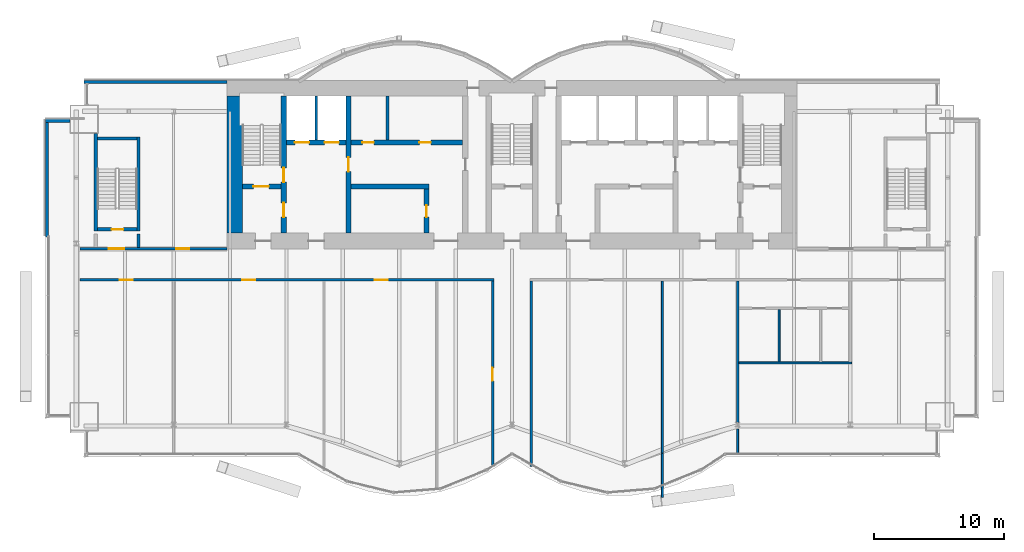
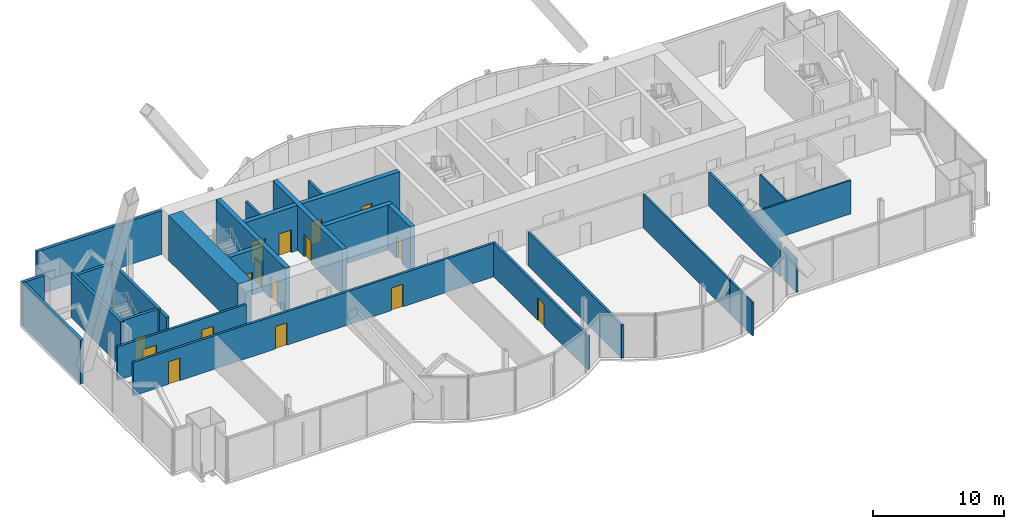
# One storey, part 17 of 23: 27 walls, 16 doors, 16 openings.
"""IFC4 building model written with IfcOpenShell, lengths in metres."""

from ifc_helpers import new_model, si_unit, direction, frame, frame_2d, origin, place, context, subcontext, project, spatial, rectangle, extrude, material, layer, layer_set, layer_usage, type_object, element, fill, save


model = new_model("IFC4")

# Units and contexts
model_context = context("Model", 3, precision=1e-05, world=origin(), true_north=direction((0.0, 1.0)))
body_context = subcontext(model_context, "Body", "Model", "MODEL_VIEW")
ifc_project = project(units=[si_unit("LENGTHUNIT", "METRE"), si_unit("AREAUNIT", "SQUARE_METRE"), si_unit("VOLUMEUNIT", "CUBIC_METRE"), si_unit("PLANEANGLEUNIT", "RADIAN"), si_unit("MASSUNIT", "GRAM", prefix="KILO")], contexts=[model_context])

# Site, building, storey
site_placement = place(None, origin())
site = spatial("IfcSite", under=ifc_project, at=site_placement, CompositionType="ELEMENT")
building_placement = place(site_placement, origin())
building = spatial("IfcBuilding", under=site, at=building_placement, Name="Bicima Exchange Tower", CompositionType="ELEMENT")
storey_placement = place(building_placement, frame((0.0, 0.0, 262.39990234375)))
storey = spatial("IfcBuildingStorey", under=building, at=storey_placement, Name="L59", CompositionType="ELEMENT", Elevation=262.39990234375)

# Wall
ifc_material_1 = material(Name="Gypsum board partition")
ifc_layer_1 = layer(ifc_material_1, 0.199951171875)
ifc_layer_set_1 = layer_set([ifc_layer_1], Name="Gypsum board partition")
wall_type_1 = type_object("IfcWallType", Name="Fire-rated gypsum partition 200 EI120", PredefinedType="PARTITIONING", material=ifc_layer_set_1)
wall_1_placement = place(storey_placement, frame((-15.10009765625, -4.60009765625, 0.0), z_axis=(0.0, 0.0, 1.0), x_axis=(0.0, 1.0, 0.0)))
element("IfcWall", 1, at=wall_1_placement, inside=storey, type_object=wall_type_1, Name="partition wall 9", PredefinedType="PARTITIONING", context=body_context, shape_type="SweptSolid", body=[
    extrude(rectangle(XDim=3.400146484375, YDim=0.199951171875, at=frame_2d((1.7001953125, 0.0))), origin(), (0.0, 0.0, 1.0), 3.118408203125),
])

# Wall, openings, doors
ifc_layer_2 = layer(ifc_material_1, 0.199951171875)
ifc_layer_set_2 = layer_set([ifc_layer_2], Name="Gypsum board partition")
wall_type_2 = type_object("IfcWallType", Name="Fire-rated gypsum partition 200 EI60", PredefinedType="PARTITIONING", material=ifc_layer_set_2)
wall_2_placement = place(storey_placement, frame((-33.340087890625, -15.39990234375, 0.0), z_axis=(0.0, 0.0, 1.0), x_axis=(1.0, 0.0, 0.0)))
wall_2 = element("IfcWall", 2, at=wall_2_placement, inside=storey, type_object=wall_type_2, Name="partition wall 3", PredefinedType="PARTITIONING", context=body_context, shape_type="SweptSolid", body=[
    extrude(rectangle(XDim=31.940185546875, YDim=0.199951171875, at=frame_2d((15.97021484375, 0.0))), origin(), (0.0, 0.0, 1.0), 3.118408203125),
])
opening_1_placement = place(wall_2_placement, frame((3.10009765625, 0.0, 0.0)))
opening_1 = element("IfcOpeningElement", 3, at=opening_1_placement, cuts=wall_2, Name="Opening L59-007", PredefinedType="OPENING", context=body_context, shape_type="SweptSolid", body=[
    extrude(rectangle(XDim=1.0, YDim=2.10009765625, at=frame_2d((0.5, 1.050048828125))), frame((0.0, 0.11181640625, 0.0), z_axis=(0.0, -1.0, 0.0), x_axis=(1.0, 0.0, 0.0)), (0.0, 0.0, 1.0), 0.223876953125),
])
opening_2_placement = place(wall_2_placement, frame((12.5400390625, 0.0, 0.0)))
opening_2 = element("IfcOpeningElement", 4, at=opening_2_placement, cuts=wall_2, Name="Opening L59-008", PredefinedType="OPENING", context=body_context, shape_type="SweptSolid", body=[
    extrude(rectangle(XDim=1.0, YDim=2.10009765625, at=frame_2d((0.5, 1.050048828125))), frame((0.0, 0.11181640625, 0.0), z_axis=(0.0, -1.0, 0.0), x_axis=(1.0, 0.0, 0.0)), (0.0, 0.0, 1.0), 0.223876953125),
])
opening_3_placement = place(wall_2_placement, frame((22.739990234375, 0.0, 0.0)))
opening_3 = element("IfcOpeningElement", 5, at=opening_3_placement, cuts=wall_2, Name="Opening L59-009", PredefinedType="OPENING", context=body_context, shape_type="SweptSolid", body=[
    extrude(rectangle(XDim=1.0, YDim=2.10009765625, at=frame_2d((0.5, 1.050048828125))), frame((0.0, 0.11181640625, 0.0), z_axis=(0.0, -1.0, 0.0), x_axis=(1.0, 0.0, 0.0)), (0.0, 0.0, 1.0), 0.223876953125),
])
ifc_material_2 = material(Name="Steel fire door leaf", Category="steel")
door_type_1 = type_object("IfcDoorType", Name="Door 1000 swing FD30S", OperationType="SINGLE_SWING_LEFT", PredefinedType="DOOR", material=ifc_material_2)
door_1_placement = place(opening_1_placement, frame((1.0, 0.0, 0.0), z_axis=(0.0, 0.0, 1.0), x_axis=(-1.0, 0.0, 0.0)))
door_1 = element("IfcDoor", 6, at=door_1_placement, inside=storey, type_object=door_type_1, Name="Door", OperationType="SINGLE_SWING_LEFT", OverallHeight=2.10009765625, OverallWidth=1.0, PredefinedType="DOOR", context=body_context, shape_type="SweptSolid", body=[
    extrude(rectangle(XDim=1.0, YDim=2.10009765625, at=frame_2d((0.5, 1.050048828125))), frame((0.0, 0.02490234375, 0.0), z_axis=(0.0, -1.0, 0.0), x_axis=(1.0, 0.0, 0.0)), (0.0, 0.0, 1.0), 0.050048828125),
])
fill(opening_1, door_1)
door_2_placement = place(opening_2_placement, frame((1.0, 0.0, 0.0), z_axis=(0.0, 0.0, 1.0), x_axis=(-1.0, 0.0, 0.0)))
door_2 = element("IfcDoor", 7, at=door_2_placement, inside=storey, type_object=door_type_1, Name="Door", OperationType="SINGLE_SWING_RIGHT", OverallHeight=2.10009765625, OverallWidth=1.0, PredefinedType="DOOR", context=body_context, shape_type="SweptSolid", body=[
    extrude(rectangle(XDim=1.0, YDim=2.10009765625, at=frame_2d((0.5, 1.050048828125))), frame((0.0, 0.02490234375, 0.0), z_axis=(0.0, -1.0, 0.0), x_axis=(1.0, 0.0, 0.0)), (0.0, 0.0, 1.0), 0.050048828125),
])
fill(opening_2, door_2)
door_3_placement = place(opening_3_placement, frame((1.0, 0.0, 0.0), z_axis=(0.0, 0.0, 1.0), x_axis=(-1.0, 0.0, 0.0)))
door_3 = element("IfcDoor", 8, at=door_3_placement, inside=storey, type_object=door_type_1, Name="Door", OperationType="SINGLE_SWING_RIGHT", OverallHeight=2.10009765625, OverallWidth=1.0, PredefinedType="DOOR", context=body_context, shape_type="SweptSolid", body=[
    extrude(rectangle(XDim=1.0, YDim=2.10009765625, at=frame_2d((0.5, 1.050048828125))), frame((0.0, 0.02490234375, 0.0), z_axis=(0.0, -1.0, 0.0), x_axis=(1.0, 0.0, 0.0)), (0.0, 0.0, 1.0), 0.050048828125),
])
fill(opening_3, door_3)

wall_3_placement = place(storey_placement, frame((-33.340087890625, -13.0, 0.0), z_axis=(0.0, 0.0, 1.0), x_axis=(1.0, 0.0, 0.0)))
wall_3 = element("IfcWall", 9, at=wall_3_placement, inside=storey, type_object=wall_type_2, Name="partition wall 5", PredefinedType="PARTITIONING", context=body_context, shape_type="SweptSolid", body=[
    extrude(rectangle(XDim=11.340087890625, YDim=0.199951171875, at=frame_2d((5.669921875, 0.0))), origin(), (0.0, 0.0, 1.0), 3.118408203125),
])
opening_4_placement = place(wall_3_placement, frame((2.239990234375, 0.0, 0.0)))
opening_4 = element("IfcOpeningElement", 10, at=opening_4_placement, cuts=wall_3, Name="Opening L59-001", PredefinedType="OPENING", context=body_context, shape_type="SweptSolid", body=[
    extrude(rectangle(XDim=1.199951171875, YDim=2.10009765625, at=frame_2d((0.60009765625, 1.050048828125))), frame((0.0, 0.11181640625, 0.0), z_axis=(0.0, -1.0, 0.0), x_axis=(1.0, 0.0, 0.0)), (0.0, 0.0, 1.0), 0.223876953125),
])
opening_5_placement = place(wall_3_placement, frame((7.43994140625, 0.0, 0.0)))
opening_5 = element("IfcOpeningElement", 11, at=opening_5_placement, cuts=wall_3, Name="Opening L59-005", PredefinedType="OPENING", context=body_context, shape_type="SweptSolid", body=[
    extrude(rectangle(XDim=1.0, YDim=2.10009765625, at=frame_2d((0.5, 1.050048828125))), frame((0.0, 0.11181640625, 0.0), z_axis=(0.0, -1.0, 0.0), x_axis=(1.0, 0.0, 0.0)), (0.0, 0.0, 1.0), 0.223876953125),
])
door_4_placement = place(opening_5_placement, origin())
door_4 = element("IfcDoor", 12, at=door_4_placement, inside=storey, type_object=door_type_1, Name="Door", OperationType="SINGLE_SWING_LEFT", OverallHeight=2.10009765625, OverallWidth=1.0, PredefinedType="DOOR", context=body_context, shape_type="SweptSolid", body=[
    extrude(rectangle(XDim=1.0, YDim=2.10009765625, at=frame_2d((0.5, 1.050048828125))), frame((0.0, 0.02490234375, 0.0), z_axis=(0.0, -1.0, 0.0), x_axis=(1.0, 0.0, 0.0)), (0.0, 0.0, 1.0), 0.050048828125),
])
fill(opening_5, door_4)
door_type_2 = type_object("IfcDoorType", Name="Door 1200 swing FD30S", OperationType="SINGLE_SWING_LEFT", PredefinedType="DOOR", material=ifc_material_2)
door_5_placement = place(opening_4_placement, origin())
door_5 = element("IfcDoor", 13, at=door_5_placement, inside=storey, type_object=door_type_2, Name="Door", OperationType="SINGLE_SWING_LEFT", OverallHeight=2.10009765625, OverallWidth=1.199951171875, PredefinedType="DOOR", context=body_context, shape_type="SweptSolid", body=[
    extrude(rectangle(XDim=1.199951171875, YDim=2.10009765625, at=frame_2d((0.60009765625, 1.050048828125))), frame((0.0, 0.02490234375, 0.0), z_axis=(0.0, -1.0, 0.0), x_axis=(1.0, 0.0, 0.0)), (0.0, 0.0, 1.0), 0.050048828125),
])
fill(opening_4, door_5)

# Wall, opening, door
wall_4_placement = place(storey_placement, frame((-1.5, -29.7900390625, 0.0), z_axis=(0.0, 0.0, 1.0), x_axis=(0.0, 1.0, 0.0)))
wall_4 = element("IfcWall", 14, at=wall_4_placement, inside=storey, type_object=wall_type_2, Name="partition wall 17", PredefinedType="PARTITIONING", context=body_context, shape_type="SweptSolid", body=[
    extrude(rectangle(XDim=14.2900390625, YDim=0.199951171875, at=frame_2d((7.14501953125, 0.0))), origin(), (0.0, 0.0, 1.0), 3.118408203125),
])
opening_6_placement = place(wall_4_placement, frame((6.60009765625, 0.0, 0.0)))
opening_6 = element("IfcOpeningElement", 15, at=opening_6_placement, cuts=wall_4, Name="Opening L59-010", PredefinedType="OPENING", context=body_context, shape_type="SweptSolid", body=[
    extrude(rectangle(XDim=1.0, YDim=2.10009765625, at=frame_2d((0.5, 1.050048828125))), frame((0.0, 0.11181640625, 0.0), z_axis=(0.0, -1.0, 0.0), x_axis=(1.0, 0.0, 0.0)), (0.0, 0.0, 1.0), 0.223876953125),
])
door_6_placement = place(opening_6_placement, origin())
door_6 = element("IfcDoor", 16, at=door_6_placement, inside=storey, type_object=door_type_1, Name="Door", OperationType="SINGLE_SWING_LEFT", OverallHeight=2.10009765625, OverallWidth=1.0, PredefinedType="DOOR", context=body_context, shape_type="SweptSolid", body=[
    extrude(rectangle(XDim=1.0, YDim=2.10009765625, at=frame_2d((0.5, 1.050048828125))), frame((0.0, 0.02490234375, 0.0), z_axis=(0.0, -1.0, 0.0), x_axis=(1.0, 0.0, 0.0)), (0.0, 0.0, 1.0), 0.050048828125),
])
fill(opening_6, door_6)

# Walls
wall_5_placement = place(storey_placement, frame((1.5, -29.7900390625, 0.0), z_axis=(0.0, 0.0, 1.0), x_axis=(0.0, 1.0, 0.0)))
element("IfcWall", 17, at=wall_5_placement, inside=storey, type_object=wall_type_2, Name="partition wall 18", PredefinedType="PARTITIONING", context=body_context, shape_type="SweptSolid", body=[
    extrude(rectangle(XDim=14.2900390625, YDim=0.199951171875, at=frame_2d((7.14501953125, 0.0))), origin(), (0.0, 0.0, 1.0), 3.118408203125),
])
wall_6_placement = place(storey_placement, frame((17.39990234375, -26.4306640625, 0.0), z_axis=(0.0, 0.0, 1.0), x_axis=(0.0, 1.0, 0.0)))
element("IfcWall", 18, at=wall_6_placement, inside=storey, type_object=wall_type_2, Name="partition wall 22", PredefinedType="PARTITIONING", context=body_context, shape_type="SweptSolid", body=[
    extrude(rectangle(XDim=10.9306640625, YDim=0.199951171875, at=frame_2d((5.46533203125, 0.0))), origin(), (0.0, 0.0, 1.0), 3.118408203125),
])
wall_7_placement = place(storey_placement, frame((-9.60009765625, -4.60009765625, 0.0), z_axis=(0.0, 0.0, 1.0), x_axis=(0.0, 1.0, 0.0)))
element("IfcWall", 19, at=wall_7_placement, inside=storey, type_object=wall_type_2, Name="partition wall 11", PredefinedType="PARTITIONING", context=body_context, shape_type="SweptSolid", body=[
    extrude(rectangle(XDim=3.400146484375, YDim=0.199951171875, at=frame_2d((1.7001953125, 0.0))), origin(), (0.0, 0.0, 1.0), 3.118408203125),
])
ifc_layer_3 = layer(ifc_material_1, 0.14990234375)
ifc_layer_set_3 = layer_set([ifc_layer_3], Name="Gypsum board partition")
wall_type_3 = type_object("IfcWallType", Name="Gypsum partition 150", PredefinedType="PARTITIONING", material=ifc_layer_set_3)
wall_8_placement = place(storey_placement, frame((17.5, -21.800048828125, 0.0), z_axis=(0.0, 0.0, 1.0), x_axis=(1.0, 0.0, 0.0)))
element("IfcWall", 20, at=wall_8_placement, inside=storey, type_object=wall_type_3, Name="partition wall 1", PredefinedType="PARTITIONING", context=body_context, shape_type="SweptSolid", body=[
    extrude(rectangle(XDim=8.699951171875, YDim=0.14990234375, at=frame_2d((4.35009765625, 0.0))), origin(), (0.0, 0.0, 1.0), 3.118408203125),
])
wall_9_placement = place(storey_placement, frame((11.60009765625, -32.171875, 0.0), z_axis=(0.0, 0.0, 1.0), x_axis=(0.0, 1.0, 0.0)))
element("IfcWall", 21, at=wall_9_placement, inside=storey, type_object=wall_type_3, Name="partition wall 19", PredefinedType="PARTITIONING", context=body_context, shape_type="SweptSolid", body=[
    extrude(rectangle(XDim=3.391845703125, YDim=0.14990234375, at=frame_2d((1.69580078125, 0.0))), origin(), (0.0, 0.0, 1.0), 3.118408203125),
])
wall_10_placement = place(storey_placement, frame((11.60009765625, -28.755126953125, 0.0), z_axis=(0.0, 0.0, 1.0), x_axis=(0.0, 1.0, 0.0)))
element("IfcWall", 22, at=wall_10_placement, inside=storey, type_object=wall_type_3, Name="partition wall 20", PredefinedType="PARTITIONING", context=body_context, shape_type="SweptSolid", body=[
    extrude(rectangle(XDim=13.255126953125, YDim=0.14990234375, at=frame_2d((6.62744140625, 0.0))), origin(), (0.0, 0.0, 1.0), 3.118408203125),
])
wall_11_placement = place(storey_placement, frame((17.39990234375, -28.860107421875, 0.0), z_axis=(0.0, 0.0, 1.0), x_axis=(0.0, 1.0, 0.0)))
element("IfcWall", 23, at=wall_11_placement, inside=storey, type_object=wall_type_3, Name="partition wall 21", PredefinedType="PARTITIONING", context=body_context, shape_type="SweptSolid", body=[
    extrude(rectangle(XDim=1.954833984375, YDim=0.14990234375, at=frame_2d((0.9775390625, 0.0))), origin(), (0.0, 0.0, 1.0), 3.118408203125),
])
wall_12_placement = place(storey_placement, frame((20.60009765625, -21.72509765625, 0.0), z_axis=(0.0, 0.0, 1.0), x_axis=(0.0, 1.0, 0.0)))
element("IfcWall", 24, at=wall_12_placement, inside=storey, type_object=wall_type_3, Name="partition wall 23", PredefinedType="PARTITIONING", context=body_context, shape_type="SweptSolid", body=[
    extrude(rectangle(XDim=4.025146484375, YDim=0.14990234375, at=frame_2d((2.0126953125, 0.0))), origin(), (0.0, 0.0, 1.0), 3.118408203125),
])
ifc_material_3 = material(Name="Concrete C40/50", Category="concrete")
ifc_layer_4 = layer(ifc_material_3, 1.199951171875)
ifc_layer_set_4 = layer_set([ifc_layer_4], Name="Concrete C40/50")
wall_type_4 = type_object("IfcWallType", Name="RC core wall 1200 C40/50", PredefinedType="SHEAR", material=ifc_layer_set_4)
wall_13_placement = place(storey_placement, frame((-21.39990234375, -11.800048828125, 0.0), z_axis=(0.0, 0.0, 1.0), x_axis=(0.0, 1.0, 0.0)))
element("IfcWall", 25, at=wall_13_placement, inside=storey, type_object=wall_type_4, Name="Core wall west", PredefinedType="SHEAR", context=body_context, shape_type="SweptSolid", body=[
    extrude(rectangle(XDim=10.60009765625, YDim=1.199951171875, at=frame_2d((5.300048828125, 0.0))), origin(), (0.0, 0.0, 1.0), 4.2001953125),
])
ifc_material_4 = material(Name="Concrete C50/60", Category="concrete")
ifc_layer_5 = layer(ifc_material_4, 0.25)
ifc_layer_set_5 = layer_set([ifc_layer_5], Name="Concrete C50/60")
wall_type_5 = type_object("IfcWallType", Name="RC core wall 250 C50/60", PredefinedType="SHEAR", material=ifc_layer_set_5)
wall_14_placement = place(storey_placement, frame((-28.800048828125, -12.89990234375, 0.0), z_axis=(0.0, 0.0, 1.0), x_axis=(0.0, 1.0, 0.0)))
element("IfcWall", 26, at=wall_14_placement, inside=storey, type_object=wall_type_5, Name="stair wall 12", PredefinedType="SHEAR", context=body_context, shape_type="SweptSolid", body=[
    extrude(rectangle(XDim=1.0498046875, YDim=0.25, at=frame_2d((0.52490234375, 0.0))), origin(), (0.0, 0.0, 1.0), 4.2001953125),
])
ifc_layer_6 = layer(ifc_material_3, 0.39990234375)
ifc_layer_set_6 = layer_set([ifc_layer_6], Name="Concrete C40/50")
wall_type_6 = type_object("IfcWallType", Name="RC core wall 400 C40/50", PredefinedType="SHEAR", material=ifc_layer_set_6)
wall_15_placement = place(storey_placement, frame((-12.39990234375, -8.199951171875, 0.0), z_axis=(0.0, 0.0, 1.0), x_axis=(1.0, 0.0, 0.0)))
element("IfcWall", 27, at=wall_15_placement, inside=storey, type_object=wall_type_6, Name="shear wall 2", PredefinedType="SHEAR", context=body_context, shape_type="SweptSolid", body=[
    extrude(rectangle(XDim=6.0, YDim=0.39990234375, at=frame_2d((3.0, 0.0))), origin(), (0.0, 0.0, 1.0), 4.2001953125),
])

# Wall, openings, doors
wall_16_placement = place(storey_placement, frame((-17.39990234375, -4.800048828125, 0.0), z_axis=(0.0, 0.0, 1.0), x_axis=(1.0, 0.0, 0.0)))
wall_16 = element("IfcWall", 28, at=wall_16_placement, inside=storey, type_object=wall_type_6, Name="shear wall 6", PredefinedType="SHEAR", context=body_context, shape_type="SweptSolid", body=[
    extrude(rectangle(XDim=13.599853515625, YDim=0.39990234375, at=frame_2d((6.7998046875, 0.0))), origin(), (0.0, 0.0, 1.0), 4.2001953125),
])
opening_7_placement = place(wall_16_placement, frame((0.64990234375, 0.0, 0.0)))
opening_7 = element("IfcOpeningElement", 29, at=opening_7_placement, cuts=wall_16, Name="Opening LD-FF1-L59", PredefinedType="OPENING", context=body_context, shape_type="SweptSolid", body=[
    extrude(rectangle(XDim=1.10009765625, YDim=2.10009765625, at=frame_2d((0.550048828125, 1.050048828125))), frame((0.0, 0.2119140625, 0.0), z_axis=(0.0, -1.0, 0.0), x_axis=(1.0, 0.0, 0.0)), (0.0, 0.0, 1.0), 0.423828125),
])
opening_8_placement = place(wall_16_placement, frame((2.949951171875, 0.0, 0.0)))
opening_8 = element("IfcOpeningElement", 30, at=opening_8_placement, cuts=wall_16, Name="Opening LD-FF3-L59", PredefinedType="OPENING", context=body_context, shape_type="SweptSolid", body=[
    extrude(rectangle(XDim=1.10009765625, YDim=2.10009765625, at=frame_2d((0.550048828125, 1.050048828125))), frame((0.0, 0.2119140625, 0.0), z_axis=(0.0, -1.0, 0.0), x_axis=(1.0, 0.0, 0.0)), (0.0, 0.0, 1.0), 0.423828125),
])
opening_9_placement = place(wall_16_placement, frame((5.85009765625, 0.0, 0.0)))
opening_9 = element("IfcOpeningElement", 31, at=opening_9_placement, cuts=wall_16, Name="Opening L59-C12", PredefinedType="OPENING", context=body_context, shape_type="SweptSolid", body=[
    extrude(rectangle(XDim=0.89990234375, YDim=2.10009765625, at=frame_2d((0.449951171875, 1.050048828125))), frame((0.0, 0.2119140625, 0.0), z_axis=(0.0, -1.0, 0.0), x_axis=(1.0, 0.0, 0.0)), (0.0, 0.0, 1.0), 0.423828125),
])
opening_10_placement = place(wall_16_placement, frame((10.25, 0.0, 0.0)))
opening_10 = element("IfcOpeningElement", 32, at=opening_10_placement, cuts=wall_16, Name="Opening L59-C13", PredefinedType="OPENING", context=body_context, shape_type="SweptSolid", body=[
    extrude(rectangle(XDim=0.89990234375, YDim=2.10009765625, at=frame_2d((0.449951171875, 1.050048828125))), frame((0.0, 0.2119140625, 0.0), z_axis=(0.0, -1.0, 0.0), x_axis=(1.0, 0.0, 0.0)), (0.0, 0.0, 1.0), 0.423828125),
])
door_type_3 = type_object("IfcDoorType", Name="Door 900 swing FD30S", OperationType="SINGLE_SWING_LEFT", PredefinedType="DOOR", material=ifc_material_2)
door_7_placement = place(opening_9_placement, origin())
door_7 = element("IfcDoor", 33, at=door_7_placement, inside=storey, type_object=door_type_3, Name="Core door", OperationType="SINGLE_SWING_RIGHT", OverallHeight=2.10009765625, OverallWidth=0.89990234375, PredefinedType="DOOR", context=body_context, shape_type="SweptSolid", body=[
    extrude(rectangle(XDim=0.89990234375, YDim=2.10009765625, at=frame_2d((0.449951171875, 1.050048828125))), frame((0.0, 0.02490234375, 0.0), z_axis=(0.0, -1.0, 0.0), x_axis=(1.0, 0.0, 0.0)), (0.0, 0.0, 1.0), 0.050048828125),
])
fill(opening_9, door_7)
door_8_placement = place(opening_10_placement, origin())
door_8 = element("IfcDoor", 34, at=door_8_placement, inside=storey, type_object=door_type_3, Name="Core door", OperationType="SINGLE_SWING_LEFT", OverallHeight=2.10009765625, OverallWidth=0.89990234375, PredefinedType="DOOR", context=body_context, shape_type="SweptSolid", body=[
    extrude(rectangle(XDim=0.89990234375, YDim=2.10009765625, at=frame_2d((0.449951171875, 1.050048828125))), frame((0.0, 0.02490234375, 0.0), z_axis=(0.0, -1.0, 0.0), x_axis=(1.0, 0.0, 0.0)), (0.0, 0.0, 1.0), 0.050048828125),
])
fill(opening_10, door_8)
ifc_material_5 = material(Name="Stainless steel", Category="steel")
door_type_4 = type_object("IfcDoorType", Name="Lift landing door 1100 sliding", OperationType="DOUBLE_DOOR_SLIDING", PredefinedType="DOOR", material=ifc_material_5)
door_9_placement = place(opening_7_placement, origin())
door_9 = element("IfcDoor", 35, at=door_9_placement, inside=storey, type_object=door_type_4, Name="Lift landing door FF1", OperationType="DOUBLE_DOOR_SLIDING", OverallHeight=2.10009765625, OverallWidth=1.10009765625, PredefinedType="DOOR", context=body_context, shape_type="SweptSolid", body=[
    extrude(rectangle(XDim=1.10009765625, YDim=2.10009765625, at=frame_2d((0.550048828125, 1.050048828125))), frame((0.0, 0.02490234375, 0.0), z_axis=(0.0, -1.0, 0.0), x_axis=(1.0, 0.0, 0.0)), (0.0, 0.0, 1.0), 0.050048828125),
])
fill(opening_7, door_9)
door_10_placement = place(opening_8_placement, origin())
door_10 = element("IfcDoor", 36, at=door_10_placement, inside=storey, type_object=door_type_4, Name="Lift landing door FF3", OperationType="DOUBLE_DOOR_SLIDING", OverallHeight=2.10009765625, OverallWidth=1.10009765625, PredefinedType="DOOR", context=body_context, shape_type="SweptSolid", body=[
    extrude(rectangle(XDim=1.10009765625, YDim=2.10009765625, at=frame_2d((0.550048828125, 1.050048828125))), frame((0.0, 0.02490234375, 0.0), z_axis=(0.0, -1.0, 0.0), x_axis=(1.0, 0.0, 0.0)), (0.0, 0.0, 1.0), 0.050048828125),
])
fill(opening_8, door_10)

# Wall, opening, door
wall_17_placement = place(storey_placement, frame((-12.60009765625, -11.800048828125, 0.0), z_axis=(0.0, 0.0, 1.0), x_axis=(0.0, 1.0, 0.0)))
wall_17 = element("IfcWall", 37, at=wall_17_placement, inside=storey, type_object=wall_type_6, Name="shear wall 10", PredefinedType="SHEAR", context=body_context, shape_type="SweptSolid", body=[
    extrude(rectangle(XDim=10.60009765625, YDim=0.39990234375, at=frame_2d((5.300048828125, 0.0))), origin(), (0.0, 0.0, 1.0), 4.2001953125),
])
opening_11_placement = place(wall_17_placement, frame((4.75, 0.0, 0.0)))
opening_11 = element("IfcOpeningElement", 38, at=opening_11_placement, cuts=wall_17, Name="Opening L59-C07", PredefinedType="OPENING", context=body_context, shape_type="SweptSolid", body=[
    extrude(rectangle(XDim=1.10009765625, YDim=2.10009765625, at=frame_2d((0.550048828125, 1.050048828125))), frame((0.0, 0.2119140625, 0.0), z_axis=(0.0, -1.0, 0.0), x_axis=(1.0, 0.0, 0.0)), (0.0, 0.0, 1.0), 0.423828125),
])
door_type_5 = type_object("IfcDoorType", Name="Door 1100 swing FD60S", OperationType="SINGLE_SWING_LEFT", PredefinedType="DOOR", material=ifc_material_2)
door_11_placement = place(opening_11_placement, origin())
door_11 = element("IfcDoor", 39, at=door_11_placement, inside=storey, type_object=door_type_5, Name="Core door", OperationType="SINGLE_SWING_LEFT", OverallHeight=2.10009765625, OverallWidth=1.10009765625, PredefinedType="DOOR", context=body_context, shape_type="SweptSolid", body=[
    extrude(rectangle(XDim=1.10009765625, YDim=2.10009765625, at=frame_2d((0.550048828125, 1.050048828125))), frame((0.0, 0.02490234375, 0.0), z_axis=(0.0, -1.0, 0.0), x_axis=(1.0, 0.0, 0.0)), (0.0, 0.0, 1.0), 0.050048828125),
])
fill(opening_11, door_11)

wall_18_placement = place(storey_placement, frame((-6.60009765625, -11.800048828125, 0.0), z_axis=(0.0, 0.0, 1.0), x_axis=(0.0, 1.0, 0.0)))
wall_18 = element("IfcWall", 40, at=wall_18_placement, inside=storey, type_object=wall_type_6, Name="shear wall 12", PredefinedType="SHEAR", context=body_context, shape_type="SweptSolid", body=[
    extrude(rectangle(XDim=3.400146484375, YDim=0.39990234375, at=frame_2d((1.7001953125, 0.0))), origin(), (0.0, 0.0, 1.0), 4.2001953125),
])
opening_12_placement = place(wall_18_placement, frame((1.25, 0.0, 0.0)))
opening_12 = element("IfcOpeningElement", 41, at=opening_12_placement, cuts=wall_18, Name="Opening L59-C14", PredefinedType="OPENING", context=body_context, shape_type="SweptSolid", body=[
    extrude(rectangle(XDim=0.89990234375, YDim=2.10009765625, at=frame_2d((0.449951171875, 1.050048828125))), frame((0.0, 0.2119140625, 0.0), z_axis=(0.0, -1.0, 0.0), x_axis=(1.0, 0.0, 0.0)), (0.0, 0.0, 1.0), 0.423828125),
])
door_12_placement = place(opening_12_placement, origin())
door_12 = element("IfcDoor", 42, at=door_12_placement, inside=storey, type_object=door_type_3, Name="Core door", OperationType="SINGLE_SWING_RIGHT", OverallHeight=2.10009765625, OverallWidth=0.89990234375, PredefinedType="DOOR", context=body_context, shape_type="SweptSolid", body=[
    extrude(rectangle(XDim=0.89990234375, YDim=2.10009765625, at=frame_2d((0.449951171875, 1.050048828125))), frame((0.0, 0.02490234375, 0.0), z_axis=(0.0, -1.0, 0.0), x_axis=(1.0, 0.0, 0.0)), (0.0, 0.0, 1.0), 0.050048828125),
])
fill(opening_12, door_12)

ifc_layer_7 = layer(ifc_material_4, 0.39990234375)
ifc_layer_set_7 = layer_set([ifc_layer_7], Name="Concrete C50/60")
wall_type_7 = type_object("IfcWallType", Name="RC core wall 400 C50/60", PredefinedType="SHEAR", material=ifc_layer_set_7)
wall_19_placement = place(storey_placement, frame((-20.800048828125, -8.199951171875, 0.0), z_axis=(0.0, 0.0, 1.0), x_axis=(1.0, 0.0, 0.0)))
wall_19 = element("IfcWall", 43, at=wall_19_placement, inside=storey, type_object=wall_type_7, Name="stair wall 1", PredefinedType="SHEAR", context=body_context, shape_type="SweptSolid", body=[
    extrude(rectangle(XDim=3.0, YDim=0.39990234375, at=frame_2d((1.5, 0.0))), origin(), (0.0, 0.0, 1.0), 4.2001953125),
])
opening_13_placement = place(wall_19_placement, frame((0.85009765625, 0.0, 0.0)))
opening_13 = element("IfcOpeningElement", 44, at=opening_13_placement, cuts=wall_19, Name="Opening L59-C01", PredefinedType="OPENING", context=body_context, shape_type="SweptSolid", body=[
    extrude(rectangle(XDim=1.199951171875, YDim=2.10009765625, at=frame_2d((0.60009765625, 1.050048828125))), frame((0.0, 0.2119140625, 0.0), z_axis=(0.0, -1.0, 0.0), x_axis=(1.0, 0.0, 0.0)), (0.0, 0.0, 1.0), 0.423828125),
])
door_type_6 = type_object("IfcDoorType", Name="Door 1200 swing FD60S", OperationType="SINGLE_SWING_LEFT", PredefinedType="DOOR", material=ifc_material_2)
door_13_placement = place(opening_13_placement, origin())
door_13 = element("IfcDoor", 45, at=door_13_placement, inside=storey, type_object=door_type_6, Name="Core door", OperationType="SINGLE_SWING_LEFT", OverallHeight=2.10009765625, OverallWidth=1.199951171875, PredefinedType="DOOR", context=body_context, shape_type="SweptSolid", body=[
    extrude(rectangle(XDim=1.199951171875, YDim=2.10009765625, at=frame_2d((0.60009765625, 1.050048828125))), frame((0.0, 0.02490234375, 0.0), z_axis=(0.0, -1.0, 0.0), x_axis=(1.0, 0.0, 0.0)), (0.0, 0.0, 1.0), 0.050048828125),
])
fill(opening_13, door_13)

# Wall, openings, doors
wall_20_placement = place(storey_placement, frame((-17.60009765625, -11.800048828125, 0.0), z_axis=(0.0, 0.0, 1.0), x_axis=(0.0, 1.0, 0.0)))
wall_20 = element("IfcWall", 46, at=wall_20_placement, inside=storey, type_object=wall_type_7, Name="stair wall 8", PredefinedType="SHEAR", context=body_context, shape_type="SweptSolid", body=[
    extrude(rectangle(XDim=10.60009765625, YDim=0.39990234375, at=frame_2d((5.300048828125, 0.0))), origin(), (0.0, 0.0, 1.0), 4.2001953125),
])
opening_14_placement = place(wall_20_placement, frame((1.25, 0.0, 0.0)))
opening_14 = element("IfcOpeningElement", 47, at=opening_14_placement, cuts=wall_20, Name="Opening L59-C02", PredefinedType="OPENING", context=body_context, shape_type="SweptSolid", body=[
    extrude(rectangle(XDim=1.10009765625, YDim=2.10009765625, at=frame_2d((0.550048828125, 1.050048828125))), frame((0.0, 0.2119140625, 0.0), z_axis=(0.0, -1.0, 0.0), x_axis=(1.0, 0.0, 0.0)), (0.0, 0.0, 1.0), 0.423828125),
])
opening_15_placement = place(wall_20_placement, frame((3.949951171875, 0.0, 0.0)))
opening_15 = element("IfcOpeningElement", 48, at=opening_15_placement, cuts=wall_20, Name="Opening L59-C06", PredefinedType="OPENING", context=body_context, shape_type="SweptSolid", body=[
    extrude(rectangle(XDim=1.10009765625, YDim=2.10009765625, at=frame_2d((0.550048828125, 1.050048828125))), frame((0.0, 0.2119140625, 0.0), z_axis=(0.0, -1.0, 0.0), x_axis=(1.0, 0.0, 0.0)), (0.0, 0.0, 1.0), 0.423828125),
])
door_14_placement = place(opening_14_placement, frame((1.10009765625, 0.0, 0.0), z_axis=(0.0, 0.0, 1.0), x_axis=(-1.0, 0.0, 0.0)))
door_14 = element("IfcDoor", 49, at=door_14_placement, inside=storey, type_object=door_type_5, Name="Core door", OperationType="SINGLE_SWING_LEFT", OverallHeight=2.10009765625, OverallWidth=1.10009765625, PredefinedType="DOOR", context=body_context, shape_type="SweptSolid", body=[
    extrude(rectangle(XDim=1.10009765625, YDim=2.10009765625, at=frame_2d((0.550048828125, 1.050048828125))), frame((0.0, 0.02490234375, 0.0), z_axis=(0.0, -1.0, 0.0), x_axis=(1.0, 0.0, 0.0)), (0.0, 0.0, 1.0), 0.050048828125),
])
fill(opening_14, door_14)
door_15_placement = place(opening_15_placement, frame((1.10009765625, 0.0, 0.0), z_axis=(0.0, 0.0, 1.0), x_axis=(-1.0, 0.0, 0.0)))
door_15 = element("IfcDoor", 50, at=door_15_placement, inside=storey, type_object=door_type_5, Name="Core door", OperationType="SINGLE_SWING_LEFT", OverallHeight=2.10009765625, OverallWidth=1.10009765625, PredefinedType="DOOR", context=body_context, shape_type="SweptSolid", body=[
    extrude(rectangle(XDim=1.10009765625, YDim=2.10009765625, at=frame_2d((0.550048828125, 1.050048828125))), frame((0.0, 0.02490234375, 0.0), z_axis=(0.0, -1.0, 0.0), x_axis=(1.0, 0.0, 0.0)), (0.0, 0.0, 1.0), 0.050048828125),
])
fill(opening_15, door_15)

# Walls
ifc_layer_8 = layer(ifc_material_4, 0.25)
ifc_layer_set_8 = layer_set([ifc_layer_8], Name="Concrete C50/60")
wall_type_8 = type_object("IfcWallType", Name="RC stair enclosure wall 250 C50/60", PredefinedType="SHEAR", material=ifc_layer_set_8)
wall_21_placement = place(storey_placement, frame((-32.10009765625, -11.625, 0.0), z_axis=(0.0, 0.0, 1.0), x_axis=(0.0, 1.0, 0.0)))
element("IfcWall", 51, at=wall_21_placement, inside=storey, type_object=wall_type_8, Name="West end exit stair wall W", PredefinedType="SHEAR", context=body_context, shape_type="SweptSolid", body=[
    extrude(rectangle(XDim=7.52490234375, YDim=0.25, at=frame_2d((3.762451171875, 0.0))), origin(), (0.0, 0.0, 1.0), 4.2001953125),
])
wall_22_placement = place(storey_placement, frame((-28.800048828125, -11.625, 0.0), z_axis=(0.0, 0.0, 1.0), x_axis=(0.0, 1.0, 0.0)))
element("IfcWall", 52, at=wall_22_placement, inside=storey, type_object=wall_type_8, Name="West end exit stair wall E", PredefinedType="SHEAR", context=body_context, shape_type="SweptSolid", body=[
    extrude(rectangle(XDim=7.25, YDim=0.25, at=frame_2d((3.625, 0.0))), origin(), (0.0, 0.0, 1.0), 4.2001953125),
])

# Wall, opening, door
wall_23_placement = place(storey_placement, frame((-31.97509765625, -11.5, 0.0), z_axis=(0.0, 0.0, 1.0), x_axis=(1.0, 0.0, 0.0)))
wall_23 = element("IfcWall", 53, at=wall_23_placement, inside=storey, type_object=wall_type_8, Name="West end exit stair wall S", PredefinedType="SHEAR", context=body_context, shape_type="SweptSolid", body=[
    extrude(rectangle(XDim=3.050048828125, YDim=0.25, at=frame_2d((1.52490234375, 0.0))), origin(), (0.0, 0.0, 1.0), 4.2001953125),
])
opening_16_placement = place(wall_23_placement, frame((1.10009765625, 0.0, 0.0)))
opening_16 = element("IfcOpeningElement", 54, at=opening_16_placement, cuts=wall_23, Name="Opening L59-002", PredefinedType="OPENING", context=body_context, shape_type="SweptSolid", body=[
    extrude(rectangle(XDim=0.89990234375, YDim=2.10009765625, at=frame_2d((0.449951171875, 1.050048828125))), frame((0.0, 0.136962890625, 0.0), z_axis=(0.0, -1.0, 0.0), x_axis=(1.0, 0.0, 0.0)), (0.0, 0.0, 1.0), 0.27392578125),
])
door_type_7 = type_object("IfcDoorType", Name="Door 900 swing FD60S", OperationType="SINGLE_SWING_LEFT", PredefinedType="DOOR", material=ifc_material_2)
door_16_placement = place(opening_16_placement, origin())
door_16 = element("IfcDoor", 55, at=door_16_placement, inside=storey, type_object=door_type_7, Name="Door", OperationType="SINGLE_SWING_LEFT", OverallHeight=2.10009765625, OverallWidth=0.89990234375, PredefinedType="DOOR", context=body_context, shape_type="SweptSolid", body=[
    extrude(rectangle(XDim=0.89990234375, YDim=2.10009765625, at=frame_2d((0.449951171875, 1.050048828125))), frame((0.0, 0.02490234375, 0.0), z_axis=(0.0, -1.0, 0.0), x_axis=(1.0, 0.0, 0.0)), (0.0, 0.0, 1.0), 0.050048828125),
])
fill(opening_16, door_16)

# Walls
wall_24_placement = place(storey_placement, frame((-31.97509765625, -4.5, 0.0), z_axis=(0.0, 0.0, 1.0), x_axis=(1.0, 0.0, 0.0)))
element("IfcWall", 56, at=wall_24_placement, inside=storey, type_object=wall_type_8, Name="West end exit stair wall N", PredefinedType="SHEAR", context=body_context, shape_type="SweptSolid", body=[
    extrude(rectangle(XDim=3.050048828125, YDim=0.25, at=frame_2d((1.52490234375, 0.0))), origin(), (0.0, 0.0, 1.0), 4.2001953125),
])
ifc_layer_9 = layer(ifc_material_3, 0.25)
ifc_layer_set_9 = layer_set([ifc_layer_9], Name="Concrete C40/50")
ifc_layer_usage = layer_usage(ifc_layer_set_9, "AXIS2", "POSITIVE", -0.125)
wall_type_9 = type_object("IfcWallType", Name="Rear backup wall 250", PredefinedType="STANDARD", material=ifc_layer_set_9)
wall_25_placement = place(storey_placement, frame((-22.0, -0.125, 0.0), z_axis=(0.0, 0.0, 1.0), x_axis=(-1.0, 0.0, 0.0)))
element("IfcWall", 57, at=wall_25_placement, inside=storey, type_object=wall_type_9, material=ifc_layer_usage, Name="Rear backup wall L59 20", PredefinedType="STANDARD", context=body_context, shape_type="SweptSolid", body=[
    extrude(rectangle(XDim=11.0, YDim=0.25, at=frame_2d((5.5, 0.0))), origin(), (0.0, 0.0, 1.0), 4.050048828125),
])
wall_26_placement = place(storey_placement, frame((-34.10009765625, -3.125, 0.0), z_axis=(0.0, 0.0, 1.0), x_axis=(-1.0, 0.0, 0.0)))
element("IfcWall", 58, at=wall_26_placement, inside=storey, type_object=wall_type_9, material=ifc_layer_usage, Name="Rear backup wall L59 22", PredefinedType="STANDARD", context=body_context, shape_type="SweptSolid", body=[
    extrude(rectangle(XDim=1.89990234375, YDim=0.25, at=frame_2d((0.949951171875, 0.0))), origin(), (0.0, 0.0, 1.0), 4.050048828125),
])
wall_27_placement = place(storey_placement, frame((-35.875, -3.0, 0.0), z_axis=(0.0, 0.0, 1.0), x_axis=(0.0, -1.0, 0.0)))
element("IfcWall", 59, at=wall_27_placement, inside=storey, type_object=wall_type_9, material=ifc_layer_usage, Name="Rear backup wall L59 23", PredefinedType="STANDARD", context=body_context, shape_type="SweptSolid", body=[
    extrude(rectangle(XDim=9.090087890625, YDim=0.25, at=frame_2d((4.544921875, 0.0))), origin(), (0.0, 0.0, 1.0), 4.050048828125),
])

save(model, "model.ifc")
